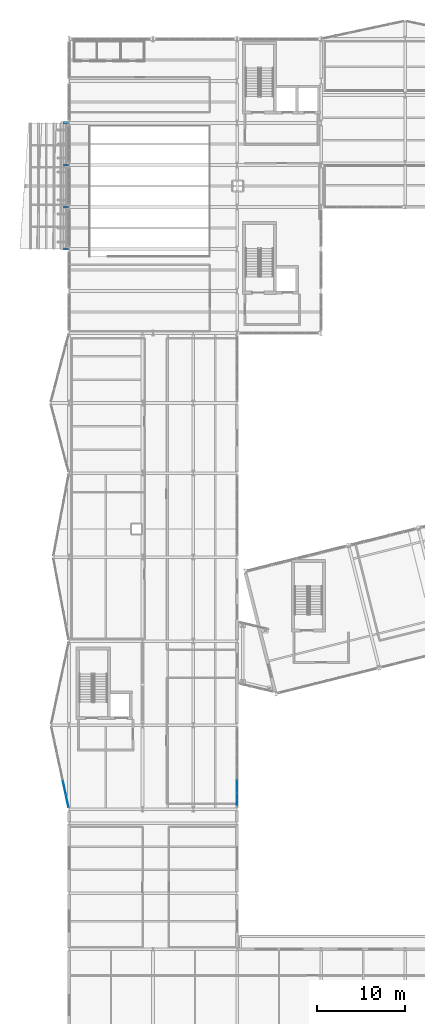
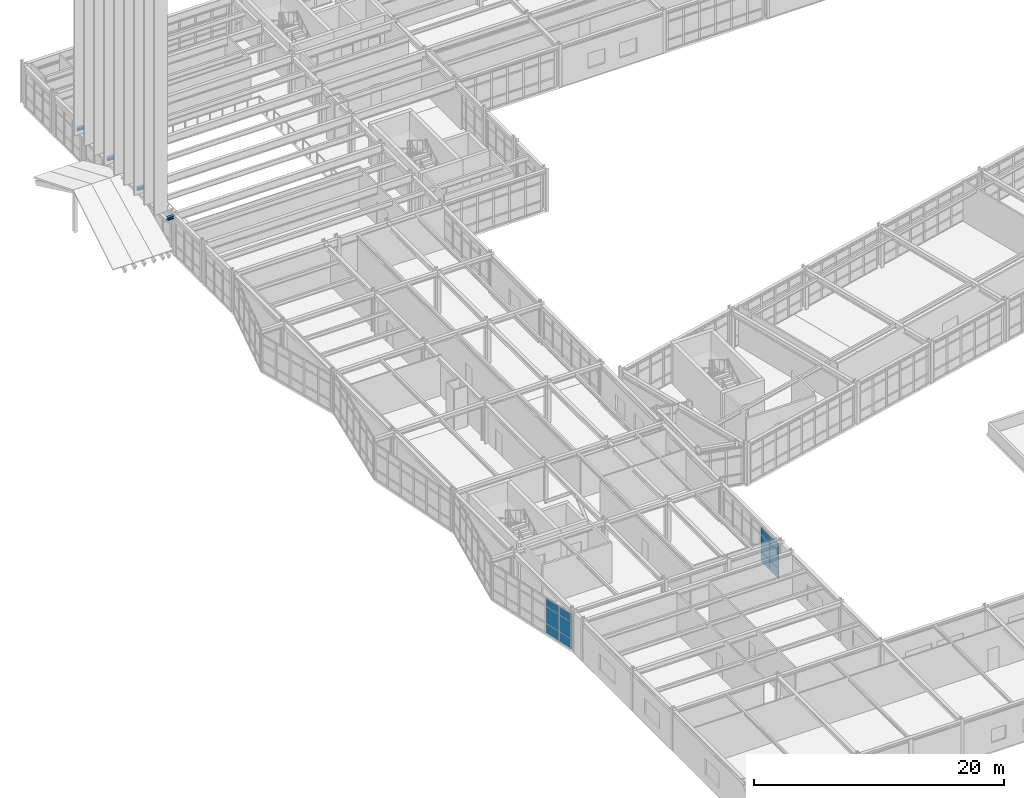
# One storey, part 57 of 99: 12 plates, 4 beams, 2 elements without a shape of their own.
"""IFC4 building model written with IfcOpenShell, lengths in metres."""

import ifcopenshell
import ifcopenshell.guid

model = None  # the IFC model being written
_history = None  # IfcOwnerHistory: only IFC2X3 demands one
_inside = {}  # id of a spatial element -> (the spatial element, [elements in it])
_under = {}  # id of a project, library or spatial element -> (it, [spatial elements below it])
_declared = {}  # id of a project -> (the project, [libraries it declares])
_typed = {}  # id of a type object -> (the type object, [elements of that type])
_made_of = {}  # id of a material, layer set ... -> (it, [elements and type objects made of it])


def new_model(schema):
    """Start an empty IFC model of exactly this schema.

    Asked for "IFC4X3", IfcOpenShell would pick the latest addendum, in which some entities
    have other attributes; the version numbers below select the first issue.
    IFC2X3 requires an IfcOwnerHistory on every rooted entity: one is made here for all.
    """
    global model, _history
    if schema == "IFC4X3":
        model = ifcopenshell.file(schema_version=(4, 3, 0, 0))
    else:
        model = ifcopenshell.file(schema=schema)
    _inside.clear()
    _under.clear()
    _declared.clear()
    _typed.clear()
    _made_of.clear()
    _history = None
    if model.schema == "IFC2X3":
        org = make("IfcOrganization", Name="unknown")
        user = make(
            "IfcPersonAndOrganization",
            ThePerson=make("IfcPerson", FamilyName="unknown"),
            TheOrganization=org,
        )
        app = make(
            "IfcApplication",
            ApplicationDeveloper=org,
            Version="unknown",
            ApplicationFullName="unknown",
            ApplicationIdentifier="unknown",
        )
        _history = make(
            "IfcOwnerHistory",
            OwningUser=user,
            OwningApplication=app,
            ChangeAction="ADDED",
            CreationDate=0,
        )
    return model


def make(cls, **values):
    """One entity of the class cls with the attributes given. An attribute that is None is left unset."""
    return model.create_entity(
        cls, **{name: value for name, value in values.items() if value is not None}
    )


def rooted(cls, **values):
    """An entity with a GlobalId (a new one), such as an element, a storey or a relation."""
    return make(cls, GlobalId=ifcopenshell.guid.new(), OwnerHistory=_history, **values)


def si_unit(unit_type, name, prefix=None):
    """IfcSIUnit, for example si_unit("LENGTHUNIT", "METRE", prefix="MILLI")."""
    return make("IfcSIUnit", UnitType=unit_type, Prefix=prefix, Name=name)


def assignment(units):
    """IfcUnitAssignment: the units of a project."""
    return None if units is None else make("IfcUnitAssignment", Units=units)


def point(xyz):
    """IfcCartesianPoint."""
    return None if xyz is None else make("IfcCartesianPoint", Coordinates=xyz)


def direction(xyz):
    """IfcDirection."""
    return None if xyz is None else make("IfcDirection", DirectionRatios=xyz)


def frame(location, z_axis=None, x_axis=None):
    """IfcAxis2Placement3D, a coordinate frame: its origin and axes. An axis left out is left unset."""
    return make(
        "IfcAxis2Placement3D",
        Location=point(location),
        Axis=direction(z_axis),
        RefDirection=direction(x_axis),
    )


def frame_2d(location, x_axis=None):
    """IfcAxis2Placement2D, a coordinate frame in the plane: its origin and x axis."""
    return make(
        "IfcAxis2Placement2D", Location=point(location), RefDirection=direction(x_axis)
    )


def origin():
    """The frame at (0, 0, 0) with its axes left unset."""
    return frame((0.0, 0.0, 0.0))


def origin_2d():
    """The frame at (0, 0) in the plane with its x axis left unset."""
    return frame_2d((0.0, 0.0))


def place(relative_to, where):
    """IfcLocalPlacement: puts the frame where relative to a parent placement (None: the world)."""
    return make(
        "IfcLocalPlacement", PlacementRelTo=relative_to, RelativePlacement=where
    )


def context(
    kind, dimensions, precision=None, world=None, true_north=None, identifier=None
):
    """IfcGeometricRepresentationContext, for example the 3D "Model" context."""
    return make(
        "IfcGeometricRepresentationContext",
        ContextIdentifier=identifier,
        ContextType=kind,
        CoordinateSpaceDimension=dimensions,
        Precision=precision,
        WorldCoordinateSystem=world,
        TrueNorth=true_north,
    )


def subcontext(parent, identifier, kind, view, scale=None):
    """IfcGeometricRepresentationSubContext, for example "Body" below "Model"."""
    return make(
        "IfcGeometricRepresentationSubContext",
        ContextIdentifier=identifier,
        ContextType=kind,
        ParentContext=parent,
        TargetScale=scale,
        TargetView=view,
    )


def project(units=None, contexts=None):
    """IfcProject with its units and contexts."""
    return rooted(
        "IfcProject",
        Name="project",
        RepresentationContexts=contexts,
        UnitsInContext=assignment(units),
    )


def spatial(cls, under=None, at=None, **own):
    """A site, building, storey or space (cls), placed at a placement, below another one or the project."""
    s = rooted(cls, ObjectPlacement=at, **own)
    if under is not None:
        _under.setdefault(under.id(), (under, []))[1].append(s)
    return s


def profile(cls, at=None, kind="AREA", **sizes):
    """A parametric profile (cls). Its sizes go by their IFC names, for example OverallWidth=200.0."""
    return make(cls, ProfileType=kind, Position=at, **sizes)


def rectangle(**sizes):
    """IfcRectangleProfileDef."""
    return profile("IfcRectangleProfileDef", **sizes)


def i_section(**sizes):
    """IfcIShapeProfileDef."""
    return profile("IfcIShapeProfileDef", **sizes)


def extrude(swept, where, along, depth):
    """IfcExtrudedAreaSolid: the profile swept, set in the frame where, extruded along a direction by depth."""
    return make(
        "IfcExtrudedAreaSolid",
        SweptArea=swept,
        Position=where,
        ExtrudedDirection=direction(along),
        Depth=depth,
    )


def shape(context_of_items, identifier, shape_type, items):
    """IfcShapeRepresentation: the items that make up one representation, for example the "Body"."""
    return make(
        "IfcShapeRepresentation",
        ContextOfItems=context_of_items,
        RepresentationIdentifier=identifier,
        RepresentationType=shape_type,
        Items=items,
    )


def material(Name=None, Category=None):
    """IfcMaterial."""
    return make("IfcMaterial", Name=Name, Category=Category)


def layer(
    of_material, thickness, ventilated=None, Name=None, Category=None, Priority=None
):
    """IfcMaterialLayer: one layer of a wall or slab, of a material (None: an air gap)."""
    return make(
        "IfcMaterialLayer",
        Material=of_material,
        LayerThickness=thickness,
        IsVentilated=ventilated,
        Name=Name,
        Category=Category,
        Priority=Priority,
    )


def layer_set(layers, Name=None):
    """IfcMaterialLayerSet."""
    return make("IfcMaterialLayerSet", MaterialLayers=layers, LayerSetName=Name)


def material_profile(
    of_material, cross_section, Name=None, Category=None, Priority=None
):
    """IfcMaterialProfile: a cross section and its material."""
    return make(
        "IfcMaterialProfile",
        Name=Name,
        Material=of_material,
        Profile=cross_section,
        Priority=Priority,
        Category=Category,
    )


def profile_set(profiles, Name=None, composite=None):
    """IfcMaterialProfileSet."""
    return make(
        "IfcMaterialProfileSet",
        Name=Name,
        MaterialProfiles=profiles,
        CompositeProfile=composite,
    )


def made_of(thing, what):
    """Note that an element or type object is made of a material, layer set ...; save() writes the relation."""
    if what is not None:
        _made_of.setdefault(what.id(), (what, []))[1].append(thing)
    return thing


def type_object(cls, material=None, **own):
    """A type object (cls), such as IfcWallType, which elements share."""
    return made_of(rooted(cls, **own), material)


def element(
    cls,
    number,
    at=None,
    inside=None,
    cuts=None,
    type_object=None,
    material=None,
    context=None,
    identifier="Body",
    shape_type=None,
    held_by="IfcProductDefinitionShape",
    body=None,
    shapes=None,
    **own,
):
    """One element of the class cls, such as IfcWall. Its Tag is "e" and its number.

    at: its placement. inside: the storey or other place that contains it. cuts: it is an
    opening in that element (IfcRelVoidsElement). A single representation is given by context,
    identifier, shape_type and body (its items); several are given by shapes. held_by: the class
    of the entity that holds the representations. save() writes the other relations.
    """
    e = rooted(cls, Tag="e%d" % number, ObjectPlacement=at, **own)
    if body is not None:
        shapes = [shape(context, identifier, shape_type, body)]
    if shapes is not None:
        e.Representation = make(held_by, Representations=shapes)
    if inside is not None:
        _inside.setdefault(inside.id(), (inside, []))[1].append(e)
    if cuts is not None:
        rooted(
            "IfcRelVoidsElement", RelatingBuildingElement=cuts, RelatedOpeningElement=e
        )
    if type_object is not None:
        _typed.setdefault(type_object.id(), (type_object, []))[1].append(e)
    return made_of(e, material)


def aggregate(whole, parts):
    """IfcRelAggregates: a whole, such as a stair, and the parts it consists of."""
    return rooted("IfcRelAggregates", RelatingObject=whole, RelatedObjects=parts)


def save(model, path):
    """Write the relations noted so far, then the file.

    IfcRelAggregates (storeys below a building ...), IfcRelContainedInSpatialStructure (elements
    in a storey), IfcRelDefinesByType, IfcRelAssociatesMaterial and IfcRelDeclares: one each for
    every whole, place, type object, material and project.
    """
    for whole, parts in _under.values():
        aggregate(whole, parts)
    for where, things in _inside.values():
        rooted(
            "IfcRelContainedInSpatialStructure",
            RelatedElements=things,
            RelatingStructure=where,
        )
    for kind, things in _typed.values():
        rooted("IfcRelDefinesByType", RelatedObjects=things, RelatingType=kind)
    for what, things in _made_of.values():
        rooted("IfcRelAssociatesMaterial", RelatedObjects=things, RelatingMaterial=what)
    for by, libraries in _declared.values():
        rooted("IfcRelDeclares", RelatingContext=by, RelatedDefinitions=libraries)
    model.write(path)


model = new_model("IFC4")

# Units and contexts
model_context = context("Model", 3, precision=1e-05, world=origin(), true_north=direction((0.0, 1.0)))
body_context = subcontext(model_context, "Body", "Model", "MODEL_VIEW")
ifc_project = project(units=[si_unit("LENGTHUNIT", "METRE"), si_unit("AREAUNIT", "SQUARE_METRE"), si_unit("VOLUMEUNIT", "CUBIC_METRE"), si_unit("PLANEANGLEUNIT", "RADIAN"), si_unit("MASSUNIT", "GRAM", prefix="KILO")], contexts=[model_context])

# Site, building, storey
site_placement = place(None, origin())
site = spatial("IfcSite", under=ifc_project, at=site_placement, CompositionType="ELEMENT")
building_placement = place(site_placement, origin())
building = spatial("IfcBuilding", under=site, at=building_placement, Name="Nordkorset Police Headquarters", CompositionType="ELEMENT")
storey_placement = place(building_placement, frame((0.0, 0.0, 5.25)))
storey = spatial("IfcBuildingStorey", under=building, at=storey_placement, Name="L01", CompositionType="ELEMENT", Elevation=5.25)

# Beams
ifc_material_1 = material(Name="Steel S355J2", Category="steel")
ifc_material_profile = material_profile(ifc_material_1, i_section(OverallWidth=0.280029296875, OverallDepth=0.27001953125, WebThickness=0.008056640625, FlangeThickness=0.012939453125, FilletRadius=0.02392578125, at=origin_2d()), Name="HEA 280")
ifc_profile_set = profile_set([ifc_material_profile], Name="Steel S355J2")
beam_type = type_object("IfcBeamType", Name="Spandrel_HEA_280", PredefinedType="SPANDREL", material=ifc_profile_set)
for number, where, z_axis, x_axis, name in (
    (1, (-0.008056640625, 92.800048828125, 3.60009765625), (-1.0, 0.0, 0.0), (0.0, -1.0, 0.0), "Facade Fin Outrigger Beam West 1"),
    (2, (-0.008056640625, 97.60009765625, 3.60009765625), (-1.0, 0.0, 0.0), (0.0, -1.0, 0.0), "Facade Fin Outrigger Beam West 2"),
    (3, (-0.008056640625, 102.39990234375, 3.60009765625), (-1.0, 0.0, 0.0), (0.0, -1.0, 0.0), "Facade Fin Outrigger Beam West 3"),
    (4, (-0.008056640625, 107.199951171875, 3.60009765625), (-1.0, 0.0, 0.0), (0.0, -1.0, 0.0), "Facade Fin Outrigger Beam West 4"),
):
    element("IfcBeam", number, at=place(storey_placement, frame(where, z_axis=z_axis, x_axis=x_axis)), inside=storey, type_object=beam_type, Name=name, PredefinedType="SPANDREL", context=body_context, shape_type="SweptSolid", body=[
        extrude(i_section(OverallWidth=0.280029296875, OverallDepth=0.27001953125, WebThickness=0.008056640625, FlangeThickness=0.012939453125, FilletRadius=0.02392578125, at=origin_2d()), origin(), (0.0, 0.0, 1.0), 0.60205078125),
    ])

# Curtain wall, plates
ifc_material_2 = material(Name="Aluminium alloy AW-6060", Category="aluminium")
ifc_layer_1 = layer(ifc_material_2, 0.179931640625, Name="Aluminium alloy AW-6060")
ifc_layer_set_1 = layer_set([ifc_layer_1], Name="Aluminium alloy AW-6060")
curtain_wall_type_1 = type_object("IfcCurtainWallType", Name="CW_Unit_954x350", PredefinedType="USERDEFINED", material=ifc_layer_set_1)
curtain_wall_1_placement = place(storey_placement, origin())
curtain_wall_1 = element("IfcCurtainWall", 5, at=curtain_wall_1_placement, inside=storey, type_object=curtain_wall_type_1, Name="Unitised Curtain Wall L01 V3W-0", ObjectType="UNITISED CURTAIN WALL", PredefinedType="USERDEFINED")
ifc_material_3 = material(Name="Low-iron triple glazing", Category="glass")
ifc_layer_2 = layer(ifc_material_3, 0.035888671875, Name="Low-iron triple glazing")
ifc_layer_set_2 = layer_set([ifc_layer_2], Name="Low-iron triple glazing")
plate_type = type_object("IfcPlateType", Name="CW_Panel_TripleGlazing_36", PredefinedType="CURTAIN_PANEL", material=ifc_layer_set_2)
plate_1_placement = place(storey_placement, frame((-0.198486328125, 29.72998046875, 0.06494140625), z_axis=(0.0, 0.0, 1.0), x_axis=(-0.208832534289, 0.977951416289, 0.0)))
plate_1 = element("IfcPlate", 6, at=plate_1_placement, type_object=plate_type, Name="CW-63 panel 1.1", PredefinedType="CURTAIN_PANEL", context=body_context, shape_type="SweptSolid", body=[
    extrude(rectangle(XDim=1.491943359375, YDim=0.035888671875, at=origin_2d()), origin(), (0.0, 0.0, 1.0), 0.902587890625),
])
plate_2_placement = place(storey_placement, frame((-0.198486328125, 29.72998046875, 1.032470703125), z_axis=(0.0, 0.0, 1.0), x_axis=(-0.208832534289, 0.977951416289, 0.0)))
plate_2 = element("IfcPlate", 7, at=plate_2_placement, type_object=plate_type, Name="CW-63 panel 1.2", PredefinedType="CURTAIN_PANEL", context=body_context, shape_type="SweptSolid", body=[
    extrude(rectangle(XDim=1.491943359375, YDim=0.035888671875, at=origin_2d()), origin(), (0.0, 0.0, 1.0), 1.5849609375),
])
plate_3_placement = place(storey_placement, frame((-0.198486328125, 29.72998046875, 2.6826171875), z_axis=(0.0, 0.0, 1.0), x_axis=(-0.208832534289, 0.977951416289, 0.0)))
plate_3 = element("IfcPlate", 8, at=plate_3_placement, type_object=plate_type, Name="CW-63 panel 1.3", PredefinedType="CURTAIN_PANEL", context=body_context, shape_type="SweptSolid", body=[
    extrude(rectangle(XDim=1.491943359375, YDim=0.035888671875, at=origin_2d()), origin(), (0.0, 0.0, 1.0), 0.75244140625),
])
plate_4_placement = place(storey_placement, frame((-0.527099609375, 31.2685546875, 0.06494140625), z_axis=(0.0, 0.0, 1.0), x_axis=(-0.208832534289, 0.977951416289, 0.0)))
plate_4 = element("IfcPlate", 9, at=plate_4_placement, type_object=plate_type, Name="CW-63 panel 2.1", PredefinedType="CURTAIN_PANEL", context=body_context, shape_type="SweptSolid", body=[
    extrude(rectangle(XDim=1.5244140625, YDim=0.035888671875, at=origin_2d()), origin(), (0.0, 0.0, 1.0), 0.902587890625),
])
plate_5_placement = place(storey_placement, frame((-0.527099609375, 31.2685546875, 1.032470703125), z_axis=(0.0, 0.0, 1.0), x_axis=(-0.208832534289, 0.977951416289, 0.0)))
plate_5 = element("IfcPlate", 10, at=plate_5_placement, type_object=plate_type, Name="CW-63 panel 2.2", PredefinedType="CURTAIN_PANEL", context=body_context, shape_type="SweptSolid", body=[
    extrude(rectangle(XDim=1.5244140625, YDim=0.035888671875, at=origin_2d()), origin(), (0.0, 0.0, 1.0), 1.5849609375),
])
plate_6_placement = place(storey_placement, frame((-0.527099609375, 31.2685546875, 2.6826171875), z_axis=(0.0, 0.0, 1.0), x_axis=(-0.208832534289, 0.977951416289, 0.0)))
plate_6 = element("IfcPlate", 11, at=plate_6_placement, type_object=plate_type, Name="CW-63 panel 2.3", PredefinedType="CURTAIN_PANEL", context=body_context, shape_type="SweptSolid", body=[
    extrude(rectangle(XDim=1.5244140625, YDim=0.035888671875, at=origin_2d()), origin(), (0.0, 0.0, 1.0), 0.75244140625),
])
aggregate(curtain_wall_1, [plate_1, plate_2, plate_3, plate_4, plate_5, plate_6])

ifc_material_4 = material(Name="Aluminium alloy AW-6060", Category="aluminium")
ifc_layer_3 = layer(ifc_material_4, 0.179931640625, Name="Aluminium alloy AW-6060")
ifc_layer_set_3 = layer_set([ifc_layer_3], Name="Aluminium alloy AW-6060")
curtain_wall_type_2 = type_object("IfcCurtainWallType", Name="CW_Unit_888x350", PredefinedType="USERDEFINED", material=ifc_layer_set_3)
curtain_wall_2_placement = place(storey_placement, origin())
curtain_wall_2 = element("IfcCurtainWall", 12, at=curtain_wall_2_placement, inside=storey, type_object=curtain_wall_type_2, Name="Unitised Curtain Wall L01 V3E-0", ObjectType="UNITISED CURTAIN WALL", PredefinedType="USERDEFINED")
plate_7_placement = place(storey_placement, frame((19.199951171875, 29.916259765625, 0.06494140625), z_axis=(0.0, 0.0, 1.0), x_axis=(0.0, 1.0, 0.0)))
plate_7 = element("IfcPlate", 13, at=plate_7_placement, type_object=plate_type, Name="CW-95 panel 1.1", PredefinedType="CURTAIN_PANEL", context=body_context, shape_type="SweptSolid", body=[
    extrude(rectangle(XDim=1.382568359375, YDim=0.035888671875, at=origin_2d()), origin(), (0.0, 0.0, 1.0), 0.902587890625),
])
plate_8_placement = place(storey_placement, frame((19.199951171875, 29.916259765625, 1.032470703125), z_axis=(0.0, 0.0, 1.0), x_axis=(0.0, 1.0, 0.0)))
plate_8 = element("IfcPlate", 14, at=plate_8_placement, type_object=plate_type, Name="CW-95 panel 1.2", PredefinedType="CURTAIN_PANEL", context=body_context, shape_type="SweptSolid", body=[
    extrude(rectangle(XDim=1.382568359375, YDim=0.035888671875, at=origin_2d()), origin(), (0.0, 0.0, 1.0), 1.5849609375),
])
plate_9_placement = place(storey_placement, frame((19.199951171875, 29.916259765625, 2.6826171875), z_axis=(0.0, 0.0, 1.0), x_axis=(0.0, 1.0, 0.0)))
plate_9 = element("IfcPlate", 15, at=plate_9_placement, type_object=plate_type, Name="CW-95 panel 1.3", PredefinedType="CURTAIN_PANEL", context=body_context, shape_type="SweptSolid", body=[
    extrude(rectangle(XDim=1.382568359375, YDim=0.035888671875, at=origin_2d()), origin(), (0.0, 0.0, 1.0), 0.75244140625),
])
plate_10_placement = place(storey_placement, frame((19.199951171875, 31.3798828125, 0.06494140625), z_axis=(0.0, 0.0, 1.0), x_axis=(0.0, 1.0, 0.0)))
plate_10 = element("IfcPlate", 16, at=plate_10_placement, type_object=plate_type, Name="CW-95 panel 2.1", PredefinedType="CURTAIN_PANEL", context=body_context, shape_type="SweptSolid", body=[
    extrude(rectangle(XDim=1.4150390625, YDim=0.035888671875, at=origin_2d()), origin(), (0.0, 0.0, 1.0), 0.902587890625),
])
plate_11_placement = place(storey_placement, frame((19.199951171875, 31.3798828125, 1.032470703125), z_axis=(0.0, 0.0, 1.0), x_axis=(0.0, 1.0, 0.0)))
plate_11 = element("IfcPlate", 17, at=plate_11_placement, type_object=plate_type, Name="CW-95 panel 2.2", PredefinedType="CURTAIN_PANEL", context=body_context, shape_type="SweptSolid", body=[
    extrude(rectangle(XDim=1.4150390625, YDim=0.035888671875, at=origin_2d()), origin(), (0.0, 0.0, 1.0), 1.5849609375),
])
plate_12_placement = place(storey_placement, frame((19.199951171875, 31.3798828125, 2.6826171875), z_axis=(0.0, 0.0, 1.0), x_axis=(0.0, 1.0, 0.0)))
plate_12 = element("IfcPlate", 18, at=plate_12_placement, type_object=plate_type, Name="CW-95 panel 2.3", PredefinedType="CURTAIN_PANEL", context=body_context, shape_type="SweptSolid", body=[
    extrude(rectangle(XDim=1.4150390625, YDim=0.035888671875, at=origin_2d()), origin(), (0.0, 0.0, 1.0), 0.75244140625),
])
aggregate(curtain_wall_2, [plate_7, plate_8, plate_9, plate_10, plate_11, plate_12])

save(model, "model.ifc")
